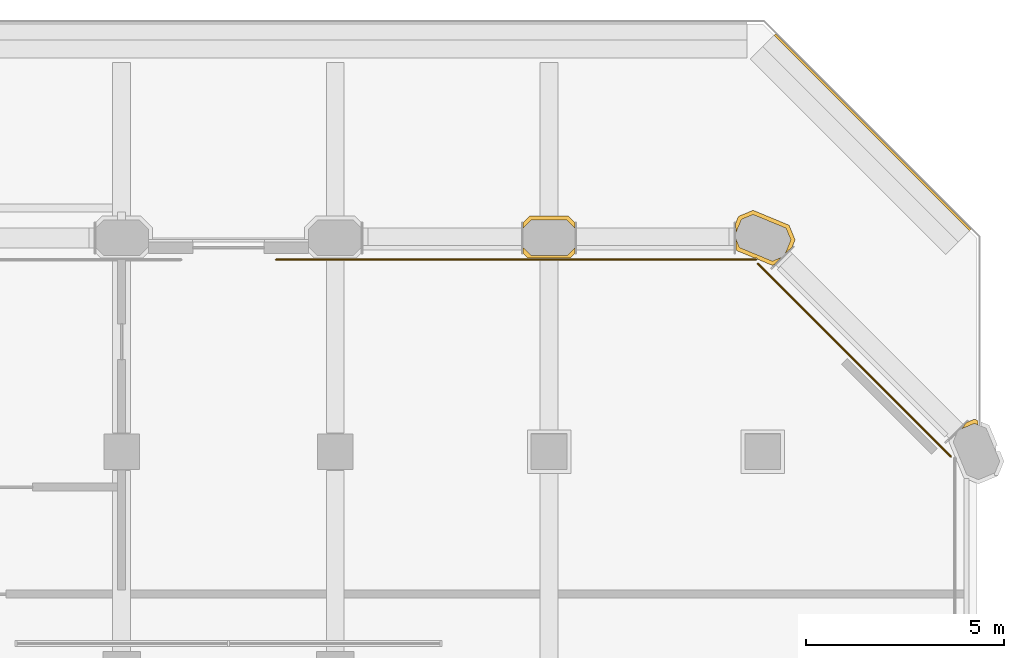
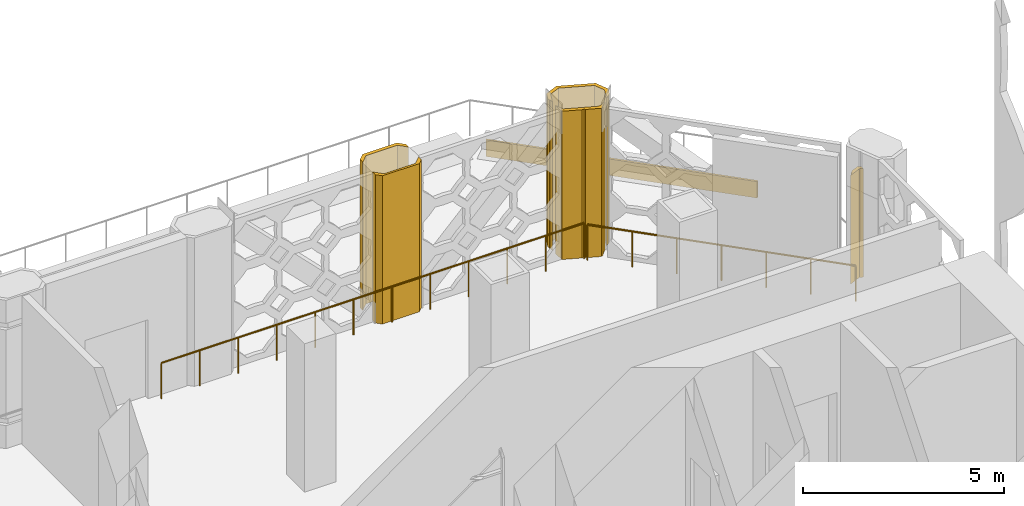
# One storey, part 17 of 17: 6 coverings, 2 railings.
"""IFC4 building model written with IfcOpenShell, lengths in metres."""

from ifc_helpers import new_model, si_unit, direction, frame, frame_2d, origin, origin_2d, place, context, subcontext, project, spatial, polyline, rectangle, circle, outline, extrude, material, layer, layer_set, type_object, element, save


model = new_model("IFC4")

# Units and contexts
model_context = context("Model", 3, precision=1e-05, world=origin(), true_north=direction((0.0, 1.0)))
body_context = subcontext(model_context, "Body", "Model", "MODEL_VIEW")
ifc_project = project(units=[si_unit("LENGTHUNIT", "METRE"), si_unit("AREAUNIT", "SQUARE_METRE"), si_unit("VOLUMEUNIT", "CUBIC_METRE"), si_unit("PLANEANGLEUNIT", "RADIAN"), si_unit("MASSUNIT", "GRAM", prefix="KILO")], contexts=[model_context])

# Site, building, storey
site_placement = place(None, origin())
site = spatial("IfcSite", under=ifc_project, at=site_placement, CompositionType="ELEMENT")
building_placement = place(site_placement, origin())
building = spatial("IfcBuilding", under=site, at=building_placement, Name="Tabaq Tower and Sports Hall", CompositionType="ELEMENT")
storey_placement = place(building_placement, frame((0.0, 0.0, 125.800048828125)))
storey = spatial("IfcBuildingStorey", under=building, at=storey_placement, Name="L30", CompositionType="ELEMENT", Elevation=125.800048828125)

# Coverings
ifc_material_1 = material(Name="Precast concrete C60/75", Category="concrete")
ifc_layer_1 = layer(ifc_material_1, 0.10009765625)
ifc_layer_set_1 = layer_set([ifc_layer_1], Name="Column cladding 100")
covering_type_1 = type_object("IfcCoveringType", Name="Column cladding 100", PredefinedType="CLADDING", material=ifc_layer_set_1)
covering_1_placement = place(storey_placement, origin())
element("IfcCovering", 1, at=covering_1_placement, inside=storey, type_object=covering_type_1, Name="Column cladding L30 PC-7I-S1", PredefinedType="CLADDING", context=body_context, shape_type="SweptSolid", body=[
    extrude(outline(polyline([(31.90869140625, 43.749755859375), (32.891357421875, 43.749755859375), (33.059814453125, 43.581298828125), (33.059814453125, 43.4501953125), (33.050048828125, 43.4501953125), (32.85009765625, 43.650390625), (31.949951171875, 43.650390625), (31.749755859375, 43.4501953125), (31.740234375, 43.4501953125), (31.740234375, 43.581298828125), (31.90869140625, 43.749755859375)])), origin(), (0.0, 0.0, 1.0), 4.5),
])
covering_2_placement = place(storey_placement, origin())
element("IfcCovering", 2, at=covering_2_placement, inside=storey, type_object=covering_type_1, Name="Column cladding L30 PC-7I-S1 2", PredefinedType="CLADDING", context=body_context, shape_type="SweptSolid", body=[
    extrude(outline(polyline([(32.931396484375, 42.690185546875), (31.86865234375, 42.690185546875), (31.740234375, 42.818603515625), (31.740234375, 42.94970703125), (31.749755859375, 42.94970703125), (31.949951171875, 42.749755859375), (32.85009765625, 42.749755859375), (33.050048828125, 42.94970703125), (33.059814453125, 42.94970703125), (33.059814453125, 42.818603515625), (32.931396484375, 42.690185546875)])), origin(), (0.0, 0.0, 1.0), 4.5),
])
covering_3_placement = place(storey_placement, origin())
element("IfcCovering", 3, at=covering_3_placement, inside=storey, type_object=covering_type_1, Name="Column cladding L30 PC-8I-S1", PredefinedType="CLADDING", context=body_context, shape_type="SweptSolid", body=[
    extrude(outline(polyline([(38.537109375, 42.955078125), (38.468017578125, 42.885986328125), (38.45751953125, 42.896484375), (38.368408203125, 42.8076171875), (38.510009765625, 43.149658203125), (38.38818359375, 43.44384765625), (37.556396484375, 43.788330078125), (37.26220703125, 43.66650390625), (37.12060546875, 43.324462890625), (37.12060546875, 43.4501953125), (37.10546875, 43.4501953125), (37.10546875, 43.5478515625), (37.186279296875, 43.742431640625), (37.556396484375, 43.895751953125), (38.46435546875, 43.519775390625), (38.61767578125, 43.149658203125), (38.537109375, 42.955078125)])), origin(), (0.0, 0.0, 1.0), 4.5),
])
covering_4_placement = place(storey_placement, origin())
element("IfcCovering", 4, at=covering_4_placement, inside=storey, type_object=covering_type_1, Name="Column cladding L30 PC-8I-S1 2", PredefinedType="CLADDING", context=body_context, shape_type="SweptSolid", body=[
    extrude(outline(polyline([(38.04345703125, 42.504150390625), (37.673828125, 42.6572265625), (37.673828125, 42.657958984375), (37.6728515625, 42.66162109375), (37.671630859375, 42.66552734375), (37.669921875, 42.6689453125), (37.667724609375, 42.67236328125), (37.66552734375, 42.675537109375), (37.662841796875, 42.678466796875), (37.659912109375, 42.68115234375), (37.65673828125, 42.68359375), (37.6533203125, 42.685546875), (37.649658203125, 42.687255859375), (37.64599609375, 42.6884765625), (37.64208984375, 42.689453125), (37.63818359375, 42.690185546875), (37.63427734375, 42.690185546875), (37.593994140625, 42.690185546875), (37.1357421875, 42.880126953125), (37.125244140625, 42.9052734375), (37.125244140625, 43.01025390625), (37.12060546875, 43.01025390625), (37.12060546875, 43.176513671875), (37.2119140625, 42.956298828125), (38.04345703125, 42.61181640625), (38.263671875, 42.702880859375), (38.103515625, 42.54248046875), (38.113037109375, 42.532958984375), (38.04345703125, 42.504150390625)])), origin(), (0.0, 0.0, 1.0), 4.5),
])
covering_5_placement = place(storey_placement, origin())
element("IfcCovering", 5, at=covering_5_placement, inside=storey, type_object=covering_type_1, Name="Column cladding L30 PC-9H-S1 2", PredefinedType="CLADDING", context=body_context, shape_type="SweptSolid", body=[
    extrude(outline(polyline([(43.149658203125, 38.61767578125), (43.23974609375, 38.580322265625), (43.23974609375, 38.47265625), (43.149658203125, 38.510009765625), (42.8076171875, 38.368408203125), (42.896484375, 38.45751953125), (42.885986328125, 38.468017578125), (42.955078125, 38.537109375), (43.149658203125, 38.61767578125)])), origin(), (0.0, 0.0, 1.0), 3.300048828125),
])
ifc_material_2 = material(Name="Precast concrete C60/75", Category="concrete")
ifc_layer_2 = layer(ifc_material_2, 0.06005859375)
ifc_layer_set_2 = layer_set([ifc_layer_2], Name="Edge beam cladding 60")
covering_type_2 = type_object("IfcCoveringType", Name="Edge beam cladding 60", PredefinedType="CLADDING", material=ifc_layer_set_2)
covering_6_placement = place(storey_placement, frame((43.04443359375, 43.39794921875, -0.5), z_axis=(0.0, 0.0, 1.0), x_axis=(-0.707106781187, 0.707106781187, 0.0)))
element("IfcCovering", 6, at=covering_6_placement, inside=storey, type_object=covering_type_2, Name="Edge beam cladding L30 5", PredefinedType="CLADDING", context=body_context, shape_type="SweptSolid", body=[
    extrude(rectangle(XDim=6.98486328125, YDim=0.06005859375, at=frame_2d((3.492431640625, 0.0))), origin(), (0.0, 0.0, 1.0), 0.5),
])

# Railings
ifc_material_3 = material(Name="Stainless steel S316 and laminated glass", Category="steel")
railing_type = type_object("IfcRailingType", Name="Guard 1100 steel and glass", PredefinedType="GUARDRAIL", material=ifc_material_3)
railing_1_placement = place(storey_placement, frame((42.551025390625, 37.671142578125, 0.0)))
element("IfcRailing", 7, at=railing_1_placement, inside=storey, type_object=railing_type, Name="Guard L30 NE", PredefinedType="GUARDRAIL", context=body_context, shape_type="SweptSolid", body=[
    extrude(circle(Radius=0.02490234375, at=origin_2d()), frame((0.0, 0.0, 1.0751953125), z_axis=(-0.707106781187, 0.707106781187, 0.0), x_axis=(-0.707106781187, -0.707106781187, 0.0)), (0.0, 0.0, 1.0), 6.901123046875),
    extrude(circle(Radius=0.02001953125, at=origin_2d()), origin(), (0.0, 0.0, 1.0), 1.050048828125),
    extrude(circle(Radius=0.02001953125, at=origin_2d()), frame((-0.813232421875, 0.813232421875, 0.0)), (0.0, 0.0, 1.0), 1.050048828125),
    extrude(circle(Radius=0.02001953125, at=origin_2d()), frame((-1.626708984375, 1.626708984375, 0.0)), (0.0, 0.0, 1.0), 1.050048828125),
    extrude(circle(Radius=0.02001953125, at=origin_2d()), frame((-2.43994140625, 2.43994140625, 0.0)), (0.0, 0.0, 1.0), 1.050048828125),
    extrude(circle(Radius=0.02001953125, at=origin_2d()), frame((-3.253173828125, 3.253173828125, 0.0)), (0.0, 0.0, 1.0), 1.050048828125),
    extrude(circle(Radius=0.02001953125, at=origin_2d()), frame((-4.066650390625, 4.066650390625, 0.0)), (0.0, 0.0, 1.0), 1.050048828125),
    extrude(circle(Radius=0.02001953125, at=origin_2d()), frame((-4.8798828125, 4.8798828125, 0.0)), (0.0, 0.0, 1.0), 1.050048828125),
])
railing_2_placement = place(storey_placement, frame((37.63427734375, 42.64990234375, 0.0)))
element("IfcRailing", 8, at=railing_2_placement, inside=storey, type_object=railing_type, Name="Guard L30 N", PredefinedType="GUARDRAIL", context=body_context, shape_type="SweptSolid", body=[
    extrude(circle(Radius=0.02490234375, at=origin_2d()), frame((0.0, 0.0, 1.0751953125), z_axis=(-1.0, 0.0, 0.0), x_axis=(0.0, -1.0, 0.0)), (0.0, 0.0, 1.0), 12.13427734375),
    extrude(circle(Radius=0.02001953125, at=origin_2d()), origin(), (0.0, 0.0, 1.0), 1.050048828125),
    extrude(circle(Radius=0.02001953125, at=origin_2d()), frame((-1.10302734375, 0.0, 0.0)), (0.0, 0.0, 1.0), 1.050048828125),
    extrude(circle(Radius=0.02001953125, at=origin_2d()), frame((-2.206298828125, 0.0, 0.0)), (0.0, 0.0, 1.0), 1.050048828125),
    extrude(circle(Radius=0.02001953125, at=origin_2d()), frame((-3.309326171875, 0.0, 0.0)), (0.0, 0.0, 1.0), 1.050048828125),
    extrude(circle(Radius=0.02001953125, at=origin_2d()), frame((-4.412353515625, 0.0, 0.0)), (0.0, 0.0, 1.0), 1.050048828125),
    extrude(circle(Radius=0.02001953125, at=origin_2d()), frame((-5.515625, 0.0, 0.0)), (0.0, 0.0, 1.0), 1.050048828125),
    extrude(circle(Radius=0.02001953125, at=origin_2d()), frame((-6.61865234375, 0.0, 0.0)), (0.0, 0.0, 1.0), 1.050048828125),
    extrude(circle(Radius=0.02001953125, at=origin_2d()), frame((-7.721923828125, 0.0, 0.0)), (0.0, 0.0, 1.0), 1.050048828125),
    extrude(circle(Radius=0.02001953125, at=origin_2d()), frame((-8.824951171875, 0.0, 0.0)), (0.0, 0.0, 1.0), 1.050048828125),
    extrude(circle(Radius=0.02001953125, at=origin_2d()), frame((-9.927978515625, 0.0, 0.0)), (0.0, 0.0, 1.0), 1.050048828125),
    extrude(circle(Radius=0.02001953125, at=origin_2d()), frame((-11.03125, 0.0, 0.0)), (0.0, 0.0, 1.0), 1.050048828125),
    extrude(circle(Radius=0.02001953125, at=origin_2d()), frame((-12.13427734375, 0.0, 0.0)), (0.0, 0.0, 1.0), 1.050048828125),
])

save(model, "model.ifc")
